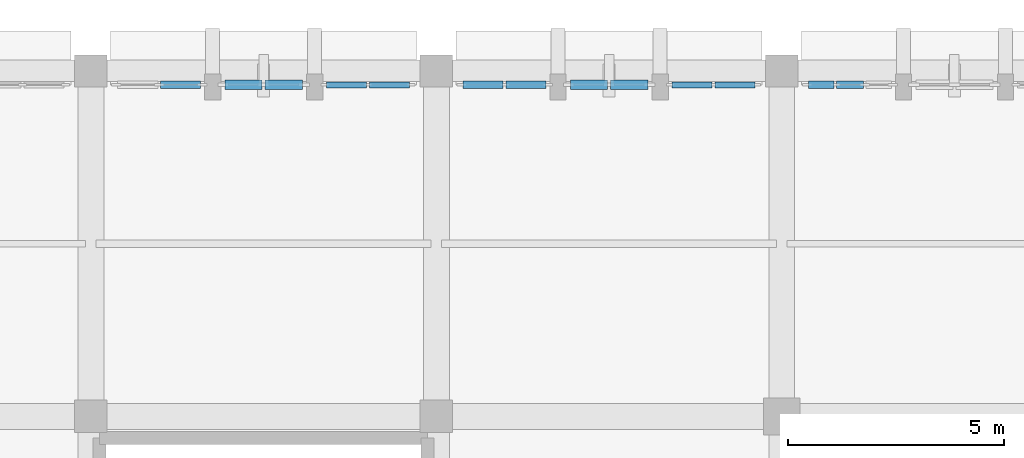
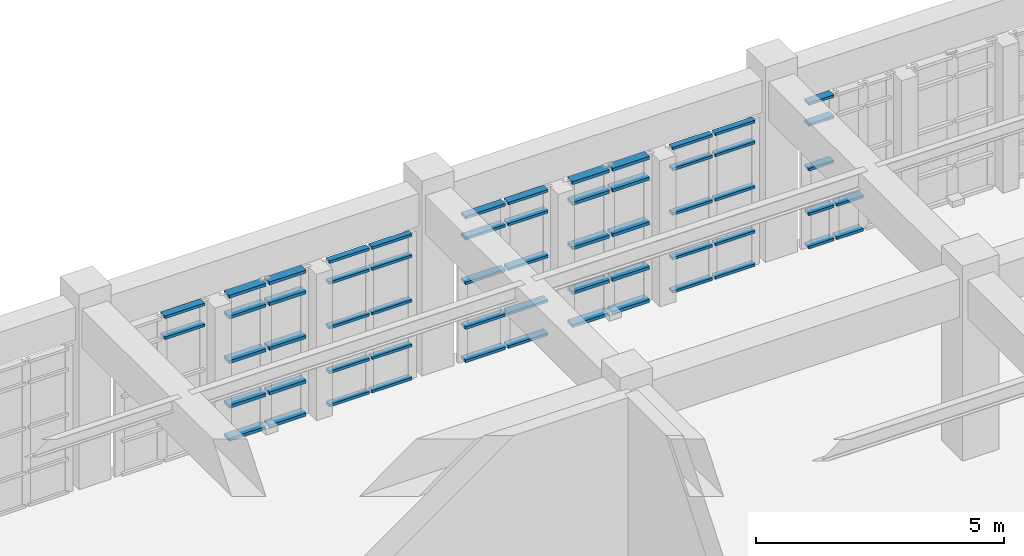
# One storey, part 70 of 155: 59 members, 7 elements without a shape of their own.
"""IFC4 building model written with IfcOpenShell, lengths in metres."""

from ifc_helpers import new_model, si_unit, direction, frame, origin, origin_2d, place, context, subcontext, project, spatial, rectangle, extrude, material, layer, layer_set, material_profile, profile_set, type_object, element, aggregate, save


model = new_model("IFC4")

# Units and contexts
model_context = context("Model", 3, precision=1e-05, world=origin(), true_north=direction((0.0, 1.0)))
body_context = subcontext(model_context, "Body", "Model", "MODEL_VIEW")
ifc_project = project(units=[si_unit("LENGTHUNIT", "METRE"), si_unit("AREAUNIT", "SQUARE_METRE"), si_unit("VOLUMEUNIT", "CUBIC_METRE"), si_unit("PLANEANGLEUNIT", "RADIAN"), si_unit("MASSUNIT", "GRAM", prefix="KILO")], contexts=[model_context])

# Site, building, storey
site_placement = place(None, origin())
site = spatial("IfcSite", under=ifc_project, at=site_placement, CompositionType="ELEMENT")
building_placement = place(site_placement, origin())
building = spatial("IfcBuilding", under=site, at=building_placement, Name="Tazarka Park Arena", CompositionType="ELEMENT")
storey_placement = place(building_placement, frame((0.0, 0.0, 5.39990234375)))
storey = spatial("IfcBuildingStorey", under=building, at=storey_placement, Name="L01", CompositionType="ELEMENT", Elevation=5.39990234375)

# Curtain wall, members
ifc_material_1 = material(Name="Aluminium and low-e glass", Category="aluminium")
ifc_layer_1 = layer(ifc_material_1, 0.179931640625, Name="Aluminium and low-e glass")
ifc_layer_set_1 = layer_set([ifc_layer_1], Name="Aluminium and low-e glass")
curtain_wall_type_1 = type_object("IfcCurtainWallType", Name="CW-12", PredefinedType="NOTDEFINED", material=ifc_layer_set_1)
curtain_wall_1_placement = place(storey_placement, origin())
curtain_wall_1 = element("IfcCurtainWall", 1, at=curtain_wall_1_placement, inside=storey, type_object=curtain_wall_type_1, Name="Curtain Wall CWA-L01-042", PredefinedType="NOTDEFINED")
ifc_material_2 = material(Name="Aluminium 6060-T66", Category="aluminium")
ifc_material_profile_1 = material_profile(ifc_material_2, rectangle(XDim=0.139892578125, YDim=0.06494140625, at=origin_2d()), Name="Aluminium 6060-T66")
ifc_profile_set_1 = profile_set([ifc_material_profile_1], Name="Aluminium 6060-T66")
member_type_1 = type_object("IfcMemberType", Name="CWT-01", PredefinedType="USERDEFINED", material=ifc_profile_set_1)
member_1_placement = place(storey_placement, frame((77.456787109375, 127.679931640625, 0.03271484375), z_axis=(1.0, 0.0, 0.0), x_axis=(0.0, 1.0, 0.0)))
member_1 = element("IfcMember", 2, at=member_1_placement, type_object=member_type_1, Name="CW-12 transom 1.1", ObjectType="TRANSOM", PredefinedType="USERDEFINED", context=body_context, shape_type="SweptSolid", body=[
    extrude(rectangle(XDim=0.139892578125, YDim=0.06494140625, at=origin_2d()), origin(), (0.0, 0.0, 1.0), 0.928955078125),
])
member_2_placement = place(storey_placement, frame((77.456787109375, 127.679931640625, 0.85009765625), z_axis=(1.0, 0.0, 0.0), x_axis=(0.0, 1.0, 0.0)))
member_2 = element("IfcMember", 3, at=member_2_placement, type_object=member_type_1, Name="CW-12 transom 1.2", ObjectType="TRANSOM", PredefinedType="USERDEFINED", context=body_context, shape_type="SweptSolid", body=[
    extrude(rectangle(XDim=0.139892578125, YDim=0.06494140625, at=origin_2d()), origin(), (0.0, 0.0, 1.0), 0.928955078125),
])
member_3_placement = place(storey_placement, frame((77.456787109375, 127.679931640625, 1.9501953125), z_axis=(1.0, 0.0, 0.0), x_axis=(0.0, 1.0, 0.0)))
member_3 = element("IfcMember", 4, at=member_3_placement, type_object=member_type_1, Name="CW-12 transom 1.3", ObjectType="TRANSOM", PredefinedType="USERDEFINED", context=body_context, shape_type="SweptSolid", body=[
    extrude(rectangle(XDim=0.139892578125, YDim=0.06494140625, at=origin_2d()), origin(), (0.0, 0.0, 1.0), 0.928955078125),
])
member_4_placement = place(storey_placement, frame((77.456787109375, 127.679931640625, 3.050048828125), z_axis=(1.0, 0.0, 0.0), x_axis=(0.0, 1.0, 0.0)))
member_4 = element("IfcMember", 5, at=member_4_placement, type_object=member_type_1, Name="CW-12 transom 1.4", ObjectType="TRANSOM", PredefinedType="USERDEFINED", context=body_context, shape_type="SweptSolid", body=[
    extrude(rectangle(XDim=0.139892578125, YDim=0.06494140625, at=origin_2d()), origin(), (0.0, 0.0, 1.0), 0.928955078125),
])
member_5_placement = place(storey_placement, frame((77.456787109375, 127.679931640625, 3.567626953125), z_axis=(1.0, 0.0, 0.0), x_axis=(0.0, 1.0, 0.0)))
member_5 = element("IfcMember", 6, at=member_5_placement, type_object=member_type_1, Name="CW-12 transom 1.5", ObjectType="TRANSOM", PredefinedType="USERDEFINED", context=body_context, shape_type="SweptSolid", body=[
    extrude(rectangle(XDim=0.139892578125, YDim=0.06494140625, at=origin_2d()), origin(), (0.0, 0.0, 1.0), 0.928955078125),
])
member_6_placement = place(storey_placement, frame((78.450927734375, 127.679931640625, 0.03271484375), z_axis=(1.0, 0.0, 0.0), x_axis=(0.0, 1.0, 0.0)))
member_6 = element("IfcMember", 7, at=member_6_placement, type_object=member_type_1, Name="CW-12 transom 2.1", ObjectType="TRANSOM", PredefinedType="USERDEFINED", context=body_context, shape_type="SweptSolid", body=[
    extrude(rectangle(XDim=0.139892578125, YDim=0.06494140625, at=origin_2d()), origin(), (0.0, 0.0, 1.0), 0.928955078125),
])
member_7_placement = place(storey_placement, frame((78.450927734375, 127.679931640625, 0.85009765625), z_axis=(1.0, 0.0, 0.0), x_axis=(0.0, 1.0, 0.0)))
member_7 = element("IfcMember", 8, at=member_7_placement, type_object=member_type_1, Name="CW-12 transom 2.2", ObjectType="TRANSOM", PredefinedType="USERDEFINED", context=body_context, shape_type="SweptSolid", body=[
    extrude(rectangle(XDim=0.139892578125, YDim=0.06494140625, at=origin_2d()), origin(), (0.0, 0.0, 1.0), 0.928955078125),
])
member_8_placement = place(storey_placement, frame((78.450927734375, 127.679931640625, 1.9501953125), z_axis=(1.0, 0.0, 0.0), x_axis=(0.0, 1.0, 0.0)))
member_8 = element("IfcMember", 9, at=member_8_placement, type_object=member_type_1, Name="CW-12 transom 2.3", ObjectType="TRANSOM", PredefinedType="USERDEFINED", context=body_context, shape_type="SweptSolid", body=[
    extrude(rectangle(XDim=0.139892578125, YDim=0.06494140625, at=origin_2d()), origin(), (0.0, 0.0, 1.0), 0.928955078125),
])
member_9_placement = place(storey_placement, frame((78.450927734375, 127.679931640625, 3.050048828125), z_axis=(1.0, 0.0, 0.0), x_axis=(0.0, 1.0, 0.0)))
member_9 = element("IfcMember", 10, at=member_9_placement, type_object=member_type_1, Name="CW-12 transom 2.4", ObjectType="TRANSOM", PredefinedType="USERDEFINED", context=body_context, shape_type="SweptSolid", body=[
    extrude(rectangle(XDim=0.139892578125, YDim=0.06494140625, at=origin_2d()), origin(), (0.0, 0.0, 1.0), 0.928955078125),
])
member_10_placement = place(storey_placement, frame((78.450927734375, 127.679931640625, 3.567626953125), z_axis=(1.0, 0.0, 0.0), x_axis=(0.0, 1.0, 0.0)))
member_10 = element("IfcMember", 11, at=member_10_placement, type_object=member_type_1, Name="CW-12 transom 2.5", ObjectType="TRANSOM", PredefinedType="USERDEFINED", context=body_context, shape_type="SweptSolid", body=[
    extrude(rectangle(XDim=0.139892578125, YDim=0.06494140625, at=origin_2d()), origin(), (0.0, 0.0, 1.0), 0.928955078125),
])
aggregate(curtain_wall_1, [member_1, member_2, member_3, member_4, member_5, member_6, member_7, member_8, member_9, member_10])

ifc_material_3 = material(Name="Aluminium and low-e glass", Category="aluminium")
ifc_layer_2 = layer(ifc_material_3, 0.179931640625, Name="Aluminium and low-e glass")
ifc_layer_set_2 = layer_set([ifc_layer_2], Name="Aluminium and low-e glass")
curtain_wall_type_2 = type_object("IfcCurtainWallType", Name="CW-15", PredefinedType="NOTDEFINED", material=ifc_layer_set_2)
curtain_wall_2_placement = place(storey_placement, origin())
curtain_wall_2 = element("IfcCurtainWall", 12, at=curtain_wall_2_placement, inside=storey, type_object=curtain_wall_type_2, Name="Curtain Wall CWA-L01-045", PredefinedType="NOTDEFINED")
member_11_placement = place(storey_placement, frame((69.456787109375, 127.679931640625, 0.03271484375), z_axis=(1.0, 0.0, 0.0), x_axis=(0.0, 1.0, 0.0)))
member_11 = element("IfcMember", 13, at=member_11_placement, type_object=member_type_1, Name="CW-15 transom 1.1", ObjectType="TRANSOM", PredefinedType="USERDEFINED", context=body_context, shape_type="SweptSolid", body=[
    extrude(rectangle(XDim=0.139892578125, YDim=0.06494140625, at=origin_2d()), origin(), (0.0, 0.0, 1.0), 0.928955078125),
])
member_12_placement = place(storey_placement, frame((69.456787109375, 127.679931640625, 0.85009765625), z_axis=(1.0, 0.0, 0.0), x_axis=(0.0, 1.0, 0.0)))
member_12 = element("IfcMember", 14, at=member_12_placement, type_object=member_type_1, Name="CW-15 transom 1.2", ObjectType="TRANSOM", PredefinedType="USERDEFINED", context=body_context, shape_type="SweptSolid", body=[
    extrude(rectangle(XDim=0.139892578125, YDim=0.06494140625, at=origin_2d()), origin(), (0.0, 0.0, 1.0), 0.928955078125),
])
member_13_placement = place(storey_placement, frame((69.456787109375, 127.679931640625, 1.9501953125), z_axis=(1.0, 0.0, 0.0), x_axis=(0.0, 1.0, 0.0)))
member_13 = element("IfcMember", 15, at=member_13_placement, type_object=member_type_1, Name="CW-15 transom 1.3", ObjectType="TRANSOM", PredefinedType="USERDEFINED", context=body_context, shape_type="SweptSolid", body=[
    extrude(rectangle(XDim=0.139892578125, YDim=0.06494140625, at=origin_2d()), origin(), (0.0, 0.0, 1.0), 0.928955078125),
])
member_14_placement = place(storey_placement, frame((69.456787109375, 127.679931640625, 3.050048828125), z_axis=(1.0, 0.0, 0.0), x_axis=(0.0, 1.0, 0.0)))
member_14 = element("IfcMember", 16, at=member_14_placement, type_object=member_type_1, Name="CW-15 transom 1.4", ObjectType="TRANSOM", PredefinedType="USERDEFINED", context=body_context, shape_type="SweptSolid", body=[
    extrude(rectangle(XDim=0.139892578125, YDim=0.06494140625, at=origin_2d()), origin(), (0.0, 0.0, 1.0), 0.928955078125),
])
member_15_placement = place(storey_placement, frame((69.456787109375, 127.679931640625, 3.567626953125), z_axis=(1.0, 0.0, 0.0), x_axis=(0.0, 1.0, 0.0)))
member_15 = element("IfcMember", 17, at=member_15_placement, type_object=member_type_1, Name="CW-15 transom 1.5", ObjectType="TRANSOM", PredefinedType="USERDEFINED", context=body_context, shape_type="SweptSolid", body=[
    extrude(rectangle(XDim=0.139892578125, YDim=0.06494140625, at=origin_2d()), origin(), (0.0, 0.0, 1.0), 0.928955078125),
])
member_16_placement = place(storey_placement, frame((70.450927734375, 127.679931640625, 0.03271484375), z_axis=(1.0, 0.0, 0.0), x_axis=(0.0, 1.0, 0.0)))
member_16 = element("IfcMember", 18, at=member_16_placement, type_object=member_type_1, Name="CW-15 transom 2.1", ObjectType="TRANSOM", PredefinedType="USERDEFINED", context=body_context, shape_type="SweptSolid", body=[
    extrude(rectangle(XDim=0.139892578125, YDim=0.06494140625, at=origin_2d()), origin(), (0.0, 0.0, 1.0), 0.928955078125),
])
member_17_placement = place(storey_placement, frame((70.450927734375, 127.679931640625, 0.85009765625), z_axis=(1.0, 0.0, 0.0), x_axis=(0.0, 1.0, 0.0)))
member_17 = element("IfcMember", 19, at=member_17_placement, type_object=member_type_1, Name="CW-15 transom 2.2", ObjectType="TRANSOM", PredefinedType="USERDEFINED", context=body_context, shape_type="SweptSolid", body=[
    extrude(rectangle(XDim=0.139892578125, YDim=0.06494140625, at=origin_2d()), origin(), (0.0, 0.0, 1.0), 0.928955078125),
])
member_18_placement = place(storey_placement, frame((70.450927734375, 127.679931640625, 1.9501953125), z_axis=(1.0, 0.0, 0.0), x_axis=(0.0, 1.0, 0.0)))
member_18 = element("IfcMember", 20, at=member_18_placement, type_object=member_type_1, Name="CW-15 transom 2.3", ObjectType="TRANSOM", PredefinedType="USERDEFINED", context=body_context, shape_type="SweptSolid", body=[
    extrude(rectangle(XDim=0.139892578125, YDim=0.06494140625, at=origin_2d()), origin(), (0.0, 0.0, 1.0), 0.928955078125),
])
member_19_placement = place(storey_placement, frame((70.450927734375, 127.679931640625, 3.050048828125), z_axis=(1.0, 0.0, 0.0), x_axis=(0.0, 1.0, 0.0)))
member_19 = element("IfcMember", 21, at=member_19_placement, type_object=member_type_1, Name="CW-15 transom 2.4", ObjectType="TRANSOM", PredefinedType="USERDEFINED", context=body_context, shape_type="SweptSolid", body=[
    extrude(rectangle(XDim=0.139892578125, YDim=0.06494140625, at=origin_2d()), origin(), (0.0, 0.0, 1.0), 0.928955078125),
])
member_20_placement = place(storey_placement, frame((70.450927734375, 127.679931640625, 3.567626953125), z_axis=(1.0, 0.0, 0.0), x_axis=(0.0, 1.0, 0.0)))
member_20 = element("IfcMember", 22, at=member_20_placement, type_object=member_type_1, Name="CW-15 transom 2.5", ObjectType="TRANSOM", PredefinedType="USERDEFINED", context=body_context, shape_type="SweptSolid", body=[
    extrude(rectangle(XDim=0.139892578125, YDim=0.06494140625, at=origin_2d()), origin(), (0.0, 0.0, 1.0), 0.928955078125),
])
aggregate(curtain_wall_2, [member_11, member_12, member_13, member_14, member_15, member_16, member_17, member_18, member_19, member_20])

ifc_material_4 = material(Name="Aluminium and low-e glass", Category="aluminium")
ifc_layer_3 = layer(ifc_material_4, 0.179931640625, Name="Aluminium and low-e glass")
ifc_layer_set_3 = layer_set([ifc_layer_3], Name="Aluminium and low-e glass")
curtain_wall_type_3 = type_object("IfcCurtainWallType", Name="CW-07", PredefinedType="NOTDEFINED", material=ifc_layer_set_3)
curtain_wall_3_placement = place(storey_placement, origin())
curtain_wall_3 = element("IfcCurtainWall", 23, at=curtain_wall_3_placement, inside=storey, type_object=curtain_wall_type_3, Name="Curtain Wall CWA-L01-037", PredefinedType="NOTDEFINED")
ifc_material_5 = material(Name="Aluminium 6060-T66", Category="aluminium")
ifc_material_profile_2 = material_profile(ifc_material_5, rectangle(XDim=0.179931640625, YDim=0.06494140625, at=origin_2d()), Name="Aluminium 6060-T66")
ifc_profile_set_2 = profile_set([ifc_material_profile_2], Name="Aluminium 6060-T66")
member_type_2 = type_object("IfcMemberType", Name="CWT-02", PredefinedType="USERDEFINED", material=ifc_profile_set_2)
member_21_placement = place(storey_placement, frame((80.6201171875, 127.679931640625, 0.03271484375), z_axis=(1.0, 0.0, 0.0), x_axis=(0.0, 1.0, 0.0)))
member_21 = element("IfcMember", 24, at=member_21_placement, type_object=member_type_2, Name="CW-07 transom 1.1", ObjectType="TRANSOM", PredefinedType="USERDEFINED", context=body_context, shape_type="SweptSolid", body=[
    extrude(rectangle(XDim=0.179931640625, YDim=0.06494140625, at=origin_2d()), origin(), (0.0, 0.0, 1.0), 0.5869140625),
])
member_22_placement = place(storey_placement, frame((80.6201171875, 127.679931640625, 0.85009765625), z_axis=(1.0, 0.0, 0.0), x_axis=(0.0, 1.0, 0.0)))
member_22 = element("IfcMember", 25, at=member_22_placement, type_object=member_type_2, Name="CW-07 transom 1.2", ObjectType="TRANSOM", PredefinedType="USERDEFINED", context=body_context, shape_type="SweptSolid", body=[
    extrude(rectangle(XDim=0.179931640625, YDim=0.06494140625, at=origin_2d()), origin(), (0.0, 0.0, 1.0), 0.5869140625),
])
member_23_placement = place(storey_placement, frame((80.6201171875, 127.679931640625, 1.9501953125), z_axis=(1.0, 0.0, 0.0), x_axis=(0.0, 1.0, 0.0)))
member_23 = element("IfcMember", 26, at=member_23_placement, type_object=member_type_2, Name="CW-07 transom 1.3", ObjectType="TRANSOM", PredefinedType="USERDEFINED", context=body_context, shape_type="SweptSolid", body=[
    extrude(rectangle(XDim=0.179931640625, YDim=0.06494140625, at=origin_2d()), origin(), (0.0, 0.0, 1.0), 0.5869140625),
])
member_24_placement = place(storey_placement, frame((80.6201171875, 127.679931640625, 3.050048828125), z_axis=(1.0, 0.0, 0.0), x_axis=(0.0, 1.0, 0.0)))
member_24 = element("IfcMember", 27, at=member_24_placement, type_object=member_type_2, Name="CW-07 transom 1.4", ObjectType="TRANSOM", PredefinedType="USERDEFINED", context=body_context, shape_type="SweptSolid", body=[
    extrude(rectangle(XDim=0.179931640625, YDim=0.06494140625, at=origin_2d()), origin(), (0.0, 0.0, 1.0), 0.5869140625),
])
member_25_placement = place(storey_placement, frame((80.6201171875, 127.679931640625, 3.567626953125), z_axis=(1.0, 0.0, 0.0), x_axis=(0.0, 1.0, 0.0)))
member_25 = element("IfcMember", 28, at=member_25_placement, type_object=member_type_2, Name="CW-07 transom 1.5", ObjectType="TRANSOM", PredefinedType="USERDEFINED", context=body_context, shape_type="SweptSolid", body=[
    extrude(rectangle(XDim=0.179931640625, YDim=0.06494140625, at=origin_2d()), origin(), (0.0, 0.0, 1.0), 0.5869140625),
])
member_26_placement = place(storey_placement, frame((81.27197265625, 127.679931640625, 0.03271484375), z_axis=(1.0, 0.0, 0.0), x_axis=(0.0, 1.0, 0.0)))
member_26 = element("IfcMember", 29, at=member_26_placement, type_object=member_type_2, Name="CW-07 transom 2.1", ObjectType="TRANSOM", PredefinedType="USERDEFINED", context=body_context, shape_type="SweptSolid", body=[
    extrude(rectangle(XDim=0.179931640625, YDim=0.06494140625, at=origin_2d()), origin(), (0.0, 0.0, 1.0), 0.619384765625),
])
member_27_placement = place(storey_placement, frame((81.27197265625, 127.679931640625, 0.85009765625), z_axis=(1.0, 0.0, 0.0), x_axis=(0.0, 1.0, 0.0)))
member_27 = element("IfcMember", 30, at=member_27_placement, type_object=member_type_2, Name="CW-07 transom 2.2", ObjectType="TRANSOM", PredefinedType="USERDEFINED", context=body_context, shape_type="SweptSolid", body=[
    extrude(rectangle(XDim=0.179931640625, YDim=0.06494140625, at=origin_2d()), origin(), (0.0, 0.0, 1.0), 0.619384765625),
])
aggregate(curtain_wall_3, [member_21, member_22, member_23, member_24, member_25, member_26, member_27])

ifc_material_6 = material(Name="Aluminium and low-e glass", Category="aluminium")
ifc_layer_4 = layer(ifc_material_6, 0.179931640625, Name="Aluminium and low-e glass")
ifc_layer_set_4 = layer_set([ifc_layer_4], Name="Aluminium and low-e glass")
curtain_wall_type_4 = type_object("IfcCurtainWallType", Name="CW-10", PredefinedType="NOTDEFINED", material=ifc_layer_set_4)
curtain_wall_4_placement = place(storey_placement, origin())
curtain_wall_4 = element("IfcCurtainWall", 31, at=curtain_wall_4_placement, inside=storey, type_object=curtain_wall_type_4, Name="Curtain Wall CWA-L01-040", PredefinedType="NOTDEFINED")
member_28_placement = place(storey_placement, frame((72.6201171875, 127.679931640625, 0.03271484375), z_axis=(1.0, 0.0, 0.0), x_axis=(0.0, 1.0, 0.0)))
member_28 = element("IfcMember", 32, at=member_28_placement, type_object=member_type_2, Name="CW-10 transom 1.1", ObjectType="TRANSOM", PredefinedType="USERDEFINED", context=body_context, shape_type="SweptSolid", body=[
    extrude(rectangle(XDim=0.179931640625, YDim=0.06494140625, at=origin_2d()), origin(), (0.0, 0.0, 1.0), 0.928955078125),
])
member_29_placement = place(storey_placement, frame((72.6201171875, 127.679931640625, 0.85009765625), z_axis=(1.0, 0.0, 0.0), x_axis=(0.0, 1.0, 0.0)))
member_29 = element("IfcMember", 33, at=member_29_placement, type_object=member_type_2, Name="CW-10 transom 1.2", ObjectType="TRANSOM", PredefinedType="USERDEFINED", context=body_context, shape_type="SweptSolid", body=[
    extrude(rectangle(XDim=0.179931640625, YDim=0.06494140625, at=origin_2d()), origin(), (0.0, 0.0, 1.0), 0.928955078125),
])
member_30_placement = place(storey_placement, frame((72.6201171875, 127.679931640625, 1.9501953125), z_axis=(1.0, 0.0, 0.0), x_axis=(0.0, 1.0, 0.0)))
member_30 = element("IfcMember", 34, at=member_30_placement, type_object=member_type_2, Name="CW-10 transom 1.3", ObjectType="TRANSOM", PredefinedType="USERDEFINED", context=body_context, shape_type="SweptSolid", body=[
    extrude(rectangle(XDim=0.179931640625, YDim=0.06494140625, at=origin_2d()), origin(), (0.0, 0.0, 1.0), 0.928955078125),
])
member_31_placement = place(storey_placement, frame((72.6201171875, 127.679931640625, 3.050048828125), z_axis=(1.0, 0.0, 0.0), x_axis=(0.0, 1.0, 0.0)))
member_31 = element("IfcMember", 35, at=member_31_placement, type_object=member_type_2, Name="CW-10 transom 1.4", ObjectType="TRANSOM", PredefinedType="USERDEFINED", context=body_context, shape_type="SweptSolid", body=[
    extrude(rectangle(XDim=0.179931640625, YDim=0.06494140625, at=origin_2d()), origin(), (0.0, 0.0, 1.0), 0.928955078125),
])
member_32_placement = place(storey_placement, frame((72.6201171875, 127.679931640625, 3.567626953125), z_axis=(1.0, 0.0, 0.0), x_axis=(0.0, 1.0, 0.0)))
member_32 = element("IfcMember", 36, at=member_32_placement, type_object=member_type_2, Name="CW-10 transom 1.5", ObjectType="TRANSOM", PredefinedType="USERDEFINED", context=body_context, shape_type="SweptSolid", body=[
    extrude(rectangle(XDim=0.179931640625, YDim=0.06494140625, at=origin_2d()), origin(), (0.0, 0.0, 1.0), 0.928955078125),
])
member_33_placement = place(storey_placement, frame((73.6142578125, 127.679931640625, 0.03271484375), z_axis=(1.0, 0.0, 0.0), x_axis=(0.0, 1.0, 0.0)))
member_33 = element("IfcMember", 37, at=member_33_placement, type_object=member_type_2, Name="CW-10 transom 2.1", ObjectType="TRANSOM", PredefinedType="USERDEFINED", context=body_context, shape_type="SweptSolid", body=[
    extrude(rectangle(XDim=0.179931640625, YDim=0.06494140625, at=origin_2d()), origin(), (0.0, 0.0, 1.0), 0.928955078125),
])
member_34_placement = place(storey_placement, frame((73.6142578125, 127.679931640625, 0.85009765625), z_axis=(1.0, 0.0, 0.0), x_axis=(0.0, 1.0, 0.0)))
member_34 = element("IfcMember", 38, at=member_34_placement, type_object=member_type_2, Name="CW-10 transom 2.2", ObjectType="TRANSOM", PredefinedType="USERDEFINED", context=body_context, shape_type="SweptSolid", body=[
    extrude(rectangle(XDim=0.179931640625, YDim=0.06494140625, at=origin_2d()), origin(), (0.0, 0.0, 1.0), 0.928955078125),
])
member_35_placement = place(storey_placement, frame((73.6142578125, 127.679931640625, 1.9501953125), z_axis=(1.0, 0.0, 0.0), x_axis=(0.0, 1.0, 0.0)))
member_35 = element("IfcMember", 39, at=member_35_placement, type_object=member_type_2, Name="CW-10 transom 2.3", ObjectType="TRANSOM", PredefinedType="USERDEFINED", context=body_context, shape_type="SweptSolid", body=[
    extrude(rectangle(XDim=0.179931640625, YDim=0.06494140625, at=origin_2d()), origin(), (0.0, 0.0, 1.0), 0.928955078125),
])
member_36_placement = place(storey_placement, frame((73.6142578125, 127.679931640625, 3.050048828125), z_axis=(1.0, 0.0, 0.0), x_axis=(0.0, 1.0, 0.0)))
member_36 = element("IfcMember", 40, at=member_36_placement, type_object=member_type_2, Name="CW-10 transom 2.4", ObjectType="TRANSOM", PredefinedType="USERDEFINED", context=body_context, shape_type="SweptSolid", body=[
    extrude(rectangle(XDim=0.179931640625, YDim=0.06494140625, at=origin_2d()), origin(), (0.0, 0.0, 1.0), 0.928955078125),
])
member_37_placement = place(storey_placement, frame((73.6142578125, 127.679931640625, 3.567626953125), z_axis=(1.0, 0.0, 0.0), x_axis=(0.0, 1.0, 0.0)))
member_37 = element("IfcMember", 41, at=member_37_placement, type_object=member_type_2, Name="CW-10 transom 2.5", ObjectType="TRANSOM", PredefinedType="USERDEFINED", context=body_context, shape_type="SweptSolid", body=[
    extrude(rectangle(XDim=0.179931640625, YDim=0.06494140625, at=origin_2d()), origin(), (0.0, 0.0, 1.0), 0.928955078125),
])
aggregate(curtain_wall_4, [member_28, member_29, member_30, member_31, member_32, member_33, member_34, member_35, member_36, member_37])

ifc_material_7 = material(Name="Aluminium and low-e glass", Category="aluminium")
ifc_layer_5 = layer(ifc_material_7, 0.179931640625, Name="Aluminium and low-e glass")
ifc_layer_set_5 = layer_set([ifc_layer_5], Name="Aluminium and low-e glass")
curtain_wall_type_5 = type_object("IfcCurtainWallType", Name="CW-13", PredefinedType="NOTDEFINED", material=ifc_layer_set_5)
curtain_wall_5_placement = place(storey_placement, origin())
curtain_wall_5 = element("IfcCurtainWall", 42, at=curtain_wall_5_placement, inside=storey, type_object=curtain_wall_type_5, Name="Curtain Wall CWA-L01-043", PredefinedType="NOTDEFINED")
member_38_placement = place(storey_placement, frame((65.6142578125, 127.679931640625, 3.050048828125), z_axis=(1.0, 0.0, 0.0), x_axis=(0.0, 1.0, 0.0)))
member_38 = element("IfcMember", 43, at=member_38_placement, type_object=member_type_2, Name="CW-13 transom 2.4", ObjectType="TRANSOM", PredefinedType="USERDEFINED", context=body_context, shape_type="SweptSolid", body=[
    extrude(rectangle(XDim=0.179931640625, YDim=0.06494140625, at=origin_2d()), origin(), (0.0, 0.0, 1.0), 0.928955078125),
])
member_39_placement = place(storey_placement, frame((65.6142578125, 127.679931640625, 3.567626953125), z_axis=(1.0, 0.0, 0.0), x_axis=(0.0, 1.0, 0.0)))
member_39 = element("IfcMember", 44, at=member_39_placement, type_object=member_type_2, Name="CW-13 transom 2.5", ObjectType="TRANSOM", PredefinedType="USERDEFINED", context=body_context, shape_type="SweptSolid", body=[
    extrude(rectangle(XDim=0.179931640625, YDim=0.06494140625, at=origin_2d()), origin(), (0.0, 0.0, 1.0), 0.928955078125),
])
aggregate(curtain_wall_5, [member_38, member_39])

ifc_material_8 = material(Name="Aluminium and low-e glass", Category="aluminium")
ifc_layer_6 = layer(ifc_material_8, 0.179931640625, Name="Aluminium and low-e glass")
ifc_layer_set_6 = layer_set([ifc_layer_6], Name="Aluminium and low-e glass")
curtain_wall_type_6 = type_object("IfcCurtainWallType", Name="CW-11", PredefinedType="NOTDEFINED", material=ifc_layer_set_6)
curtain_wall_6_placement = place(storey_placement, origin())
curtain_wall_6 = element("IfcCurtainWall", 45, at=curtain_wall_6_placement, inside=storey, type_object=curtain_wall_type_6, Name="Curtain Wall CWA-L01-041", PredefinedType="NOTDEFINED")
ifc_material_9 = material(Name="Aluminium 6060-T66", Category="aluminium")
ifc_material_profile_3 = material_profile(ifc_material_9, rectangle(XDim=0.2099609375, YDim=0.074951171875, at=origin_2d()), Name="Aluminium 6060-T66")
ifc_profile_set_3 = profile_set([ifc_material_profile_3], Name="Aluminium 6060-T66")
member_type_3 = type_object("IfcMemberType", Name="CWT-03", PredefinedType="USERDEFINED", material=ifc_profile_set_3)
member_40_placement = place(storey_placement, frame((75.103271484375, 127.679931640625, 0.03759765625), z_axis=(1.0, 0.0, 0.0), x_axis=(0.0, 1.0, 0.0)))
member_40 = element("IfcMember", 46, at=member_40_placement, type_object=member_type_3, Name="CW-11 transom 1.1", ObjectType="TRANSOM", PredefinedType="USERDEFINED", context=body_context, shape_type="SweptSolid", body=[
    extrude(rectangle(XDim=0.2099609375, YDim=0.074951171875, at=origin_2d()), origin(), (0.0, 0.0, 1.0), 0.859130859375),
])
member_41_placement = place(storey_placement, frame((75.103271484375, 127.679931640625, 0.85009765625), z_axis=(1.0, 0.0, 0.0), x_axis=(0.0, 1.0, 0.0)))
member_41 = element("IfcMember", 47, at=member_41_placement, type_object=member_type_3, Name="CW-11 transom 1.2", ObjectType="TRANSOM", PredefinedType="USERDEFINED", context=body_context, shape_type="SweptSolid", body=[
    extrude(rectangle(XDim=0.2099609375, YDim=0.074951171875, at=origin_2d()), origin(), (0.0, 0.0, 1.0), 0.859130859375),
])
member_42_placement = place(storey_placement, frame((75.103271484375, 127.679931640625, 1.9501953125), z_axis=(1.0, 0.0, 0.0), x_axis=(0.0, 1.0, 0.0)))
member_42 = element("IfcMember", 48, at=member_42_placement, type_object=member_type_3, Name="CW-11 transom 1.3", ObjectType="TRANSOM", PredefinedType="USERDEFINED", context=body_context, shape_type="SweptSolid", body=[
    extrude(rectangle(XDim=0.2099609375, YDim=0.074951171875, at=origin_2d()), origin(), (0.0, 0.0, 1.0), 0.859130859375),
])
member_43_placement = place(storey_placement, frame((75.103271484375, 127.679931640625, 3.050048828125), z_axis=(1.0, 0.0, 0.0), x_axis=(0.0, 1.0, 0.0)))
member_43 = element("IfcMember", 49, at=member_43_placement, type_object=member_type_3, Name="CW-11 transom 1.4", ObjectType="TRANSOM", PredefinedType="USERDEFINED", context=body_context, shape_type="SweptSolid", body=[
    extrude(rectangle(XDim=0.2099609375, YDim=0.074951171875, at=origin_2d()), origin(), (0.0, 0.0, 1.0), 0.859130859375),
])
member_44_placement = place(storey_placement, frame((75.103271484375, 127.679931640625, 3.5625), z_axis=(1.0, 0.0, 0.0), x_axis=(0.0, 1.0, 0.0)))
member_44 = element("IfcMember", 50, at=member_44_placement, type_object=member_type_3, Name="CW-11 transom 1.5", ObjectType="TRANSOM", PredefinedType="USERDEFINED", context=body_context, shape_type="SweptSolid", body=[
    extrude(rectangle(XDim=0.2099609375, YDim=0.074951171875, at=origin_2d()), origin(), (0.0, 0.0, 1.0), 0.859130859375),
])
member_45_placement = place(storey_placement, frame((76.03759765625, 127.679931640625, 0.03759765625), z_axis=(1.0, 0.0, 0.0), x_axis=(0.0, 1.0, 0.0)))
member_45 = element("IfcMember", 51, at=member_45_placement, type_object=member_type_3, Name="CW-11 transom 2.1", ObjectType="TRANSOM", PredefinedType="USERDEFINED", context=body_context, shape_type="SweptSolid", body=[
    extrude(rectangle(XDim=0.2099609375, YDim=0.074951171875, at=origin_2d()), origin(), (0.0, 0.0, 1.0), 0.859130859375),
])
member_46_placement = place(storey_placement, frame((76.03759765625, 127.679931640625, 0.85009765625), z_axis=(1.0, 0.0, 0.0), x_axis=(0.0, 1.0, 0.0)))
member_46 = element("IfcMember", 52, at=member_46_placement, type_object=member_type_3, Name="CW-11 transom 2.2", ObjectType="TRANSOM", PredefinedType="USERDEFINED", context=body_context, shape_type="SweptSolid", body=[
    extrude(rectangle(XDim=0.2099609375, YDim=0.074951171875, at=origin_2d()), origin(), (0.0, 0.0, 1.0), 0.859130859375),
])
member_47_placement = place(storey_placement, frame((76.03759765625, 127.679931640625, 1.9501953125), z_axis=(1.0, 0.0, 0.0), x_axis=(0.0, 1.0, 0.0)))
member_47 = element("IfcMember", 53, at=member_47_placement, type_object=member_type_3, Name="CW-11 transom 2.3", ObjectType="TRANSOM", PredefinedType="USERDEFINED", context=body_context, shape_type="SweptSolid", body=[
    extrude(rectangle(XDim=0.2099609375, YDim=0.074951171875, at=origin_2d()), origin(), (0.0, 0.0, 1.0), 0.859130859375),
])
member_48_placement = place(storey_placement, frame((76.03759765625, 127.679931640625, 3.050048828125), z_axis=(1.0, 0.0, 0.0), x_axis=(0.0, 1.0, 0.0)))
member_48 = element("IfcMember", 54, at=member_48_placement, type_object=member_type_3, Name="CW-11 transom 2.4", ObjectType="TRANSOM", PredefinedType="USERDEFINED", context=body_context, shape_type="SweptSolid", body=[
    extrude(rectangle(XDim=0.2099609375, YDim=0.074951171875, at=origin_2d()), origin(), (0.0, 0.0, 1.0), 0.859130859375),
])
member_49_placement = place(storey_placement, frame((76.03759765625, 127.679931640625, 3.5625), z_axis=(1.0, 0.0, 0.0), x_axis=(0.0, 1.0, 0.0)))
member_49 = element("IfcMember", 55, at=member_49_placement, type_object=member_type_3, Name="CW-11 transom 2.5", ObjectType="TRANSOM", PredefinedType="USERDEFINED", context=body_context, shape_type="SweptSolid", body=[
    extrude(rectangle(XDim=0.2099609375, YDim=0.074951171875, at=origin_2d()), origin(), (0.0, 0.0, 1.0), 0.859130859375),
])
aggregate(curtain_wall_6, [member_40, member_41, member_42, member_43, member_44, member_45, member_46, member_47, member_48, member_49])

ifc_material_10 = material(Name="Aluminium and low-e glass", Category="aluminium")
ifc_layer_7 = layer(ifc_material_10, 0.179931640625, Name="Aluminium and low-e glass")
ifc_layer_set_7 = layer_set([ifc_layer_7], Name="Aluminium and low-e glass")
curtain_wall_type_7 = type_object("IfcCurtainWallType", Name="CW-14", PredefinedType="NOTDEFINED", material=ifc_layer_set_7)
curtain_wall_7_placement = place(storey_placement, origin())
curtain_wall_7 = element("IfcCurtainWall", 56, at=curtain_wall_7_placement, inside=storey, type_object=curtain_wall_type_7, Name="Curtain Wall CWA-L01-044", PredefinedType="NOTDEFINED")
member_50_placement = place(storey_placement, frame((67.103271484375, 127.679931640625, 0.03759765625), z_axis=(1.0, 0.0, 0.0), x_axis=(0.0, 1.0, 0.0)))
member_50 = element("IfcMember", 57, at=member_50_placement, type_object=member_type_3, Name="CW-14 transom 1.1", ObjectType="TRANSOM", PredefinedType="USERDEFINED", context=body_context, shape_type="SweptSolid", body=[
    extrude(rectangle(XDim=0.2099609375, YDim=0.074951171875, at=origin_2d()), origin(), (0.0, 0.0, 1.0), 0.859130859375),
])
member_51_placement = place(storey_placement, frame((67.103271484375, 127.679931640625, 0.85009765625), z_axis=(1.0, 0.0, 0.0), x_axis=(0.0, 1.0, 0.0)))
member_51 = element("IfcMember", 58, at=member_51_placement, type_object=member_type_3, Name="CW-14 transom 1.2", ObjectType="TRANSOM", PredefinedType="USERDEFINED", context=body_context, shape_type="SweptSolid", body=[
    extrude(rectangle(XDim=0.2099609375, YDim=0.074951171875, at=origin_2d()), origin(), (0.0, 0.0, 1.0), 0.859130859375),
])
member_52_placement = place(storey_placement, frame((67.103271484375, 127.679931640625, 1.9501953125), z_axis=(1.0, 0.0, 0.0), x_axis=(0.0, 1.0, 0.0)))
member_52 = element("IfcMember", 59, at=member_52_placement, type_object=member_type_3, Name="CW-14 transom 1.3", ObjectType="TRANSOM", PredefinedType="USERDEFINED", context=body_context, shape_type="SweptSolid", body=[
    extrude(rectangle(XDim=0.2099609375, YDim=0.074951171875, at=origin_2d()), origin(), (0.0, 0.0, 1.0), 0.859130859375),
])
member_53_placement = place(storey_placement, frame((67.103271484375, 127.679931640625, 3.050048828125), z_axis=(1.0, 0.0, 0.0), x_axis=(0.0, 1.0, 0.0)))
member_53 = element("IfcMember", 60, at=member_53_placement, type_object=member_type_3, Name="CW-14 transom 1.4", ObjectType="TRANSOM", PredefinedType="USERDEFINED", context=body_context, shape_type="SweptSolid", body=[
    extrude(rectangle(XDim=0.2099609375, YDim=0.074951171875, at=origin_2d()), origin(), (0.0, 0.0, 1.0), 0.859130859375),
])
member_54_placement = place(storey_placement, frame((67.103271484375, 127.679931640625, 3.5625), z_axis=(1.0, 0.0, 0.0), x_axis=(0.0, 1.0, 0.0)))
member_54 = element("IfcMember", 61, at=member_54_placement, type_object=member_type_3, Name="CW-14 transom 1.5", ObjectType="TRANSOM", PredefinedType="USERDEFINED", context=body_context, shape_type="SweptSolid", body=[
    extrude(rectangle(XDim=0.2099609375, YDim=0.074951171875, at=origin_2d()), origin(), (0.0, 0.0, 1.0), 0.859130859375),
])
member_55_placement = place(storey_placement, frame((68.03759765625, 127.679931640625, 0.03759765625), z_axis=(1.0, 0.0, 0.0), x_axis=(0.0, 1.0, 0.0)))
member_55 = element("IfcMember", 62, at=member_55_placement, type_object=member_type_3, Name="CW-14 transom 2.1", ObjectType="TRANSOM", PredefinedType="USERDEFINED", context=body_context, shape_type="SweptSolid", body=[
    extrude(rectangle(XDim=0.2099609375, YDim=0.074951171875, at=origin_2d()), origin(), (0.0, 0.0, 1.0), 0.859130859375),
])
member_56_placement = place(storey_placement, frame((68.03759765625, 127.679931640625, 0.85009765625), z_axis=(1.0, 0.0, 0.0), x_axis=(0.0, 1.0, 0.0)))
member_56 = element("IfcMember", 63, at=member_56_placement, type_object=member_type_3, Name="CW-14 transom 2.2", ObjectType="TRANSOM", PredefinedType="USERDEFINED", context=body_context, shape_type="SweptSolid", body=[
    extrude(rectangle(XDim=0.2099609375, YDim=0.074951171875, at=origin_2d()), origin(), (0.0, 0.0, 1.0), 0.859130859375),
])
member_57_placement = place(storey_placement, frame((68.03759765625, 127.679931640625, 1.9501953125), z_axis=(1.0, 0.0, 0.0), x_axis=(0.0, 1.0, 0.0)))
member_57 = element("IfcMember", 64, at=member_57_placement, type_object=member_type_3, Name="CW-14 transom 2.3", ObjectType="TRANSOM", PredefinedType="USERDEFINED", context=body_context, shape_type="SweptSolid", body=[
    extrude(rectangle(XDim=0.2099609375, YDim=0.074951171875, at=origin_2d()), origin(), (0.0, 0.0, 1.0), 0.859130859375),
])
member_58_placement = place(storey_placement, frame((68.03759765625, 127.679931640625, 3.050048828125), z_axis=(1.0, 0.0, 0.0), x_axis=(0.0, 1.0, 0.0)))
member_58 = element("IfcMember", 65, at=member_58_placement, type_object=member_type_3, Name="CW-14 transom 2.4", ObjectType="TRANSOM", PredefinedType="USERDEFINED", context=body_context, shape_type="SweptSolid", body=[
    extrude(rectangle(XDim=0.2099609375, YDim=0.074951171875, at=origin_2d()), origin(), (0.0, 0.0, 1.0), 0.859130859375),
])
member_59_placement = place(storey_placement, frame((68.03759765625, 127.679931640625, 3.5625), z_axis=(1.0, 0.0, 0.0), x_axis=(0.0, 1.0, 0.0)))
member_59 = element("IfcMember", 66, at=member_59_placement, type_object=member_type_3, Name="CW-14 transom 2.5", ObjectType="TRANSOM", PredefinedType="USERDEFINED", context=body_context, shape_type="SweptSolid", body=[
    extrude(rectangle(XDim=0.2099609375, YDim=0.074951171875, at=origin_2d()), origin(), (0.0, 0.0, 1.0), 0.859130859375),
])
aggregate(curtain_wall_7, [member_50, member_51, member_52, member_53, member_54, member_55, member_56, member_57, member_58, member_59])

save(model, "model.ifc")
